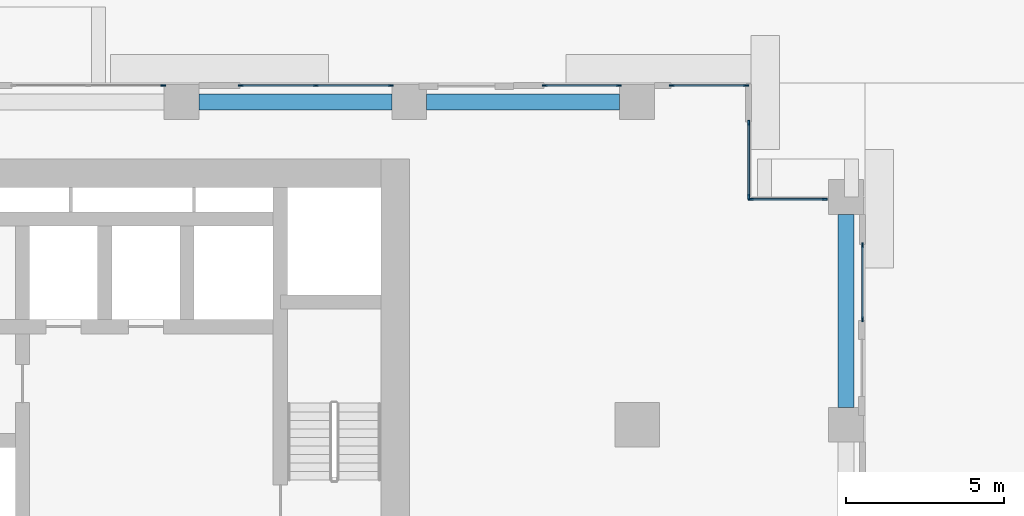
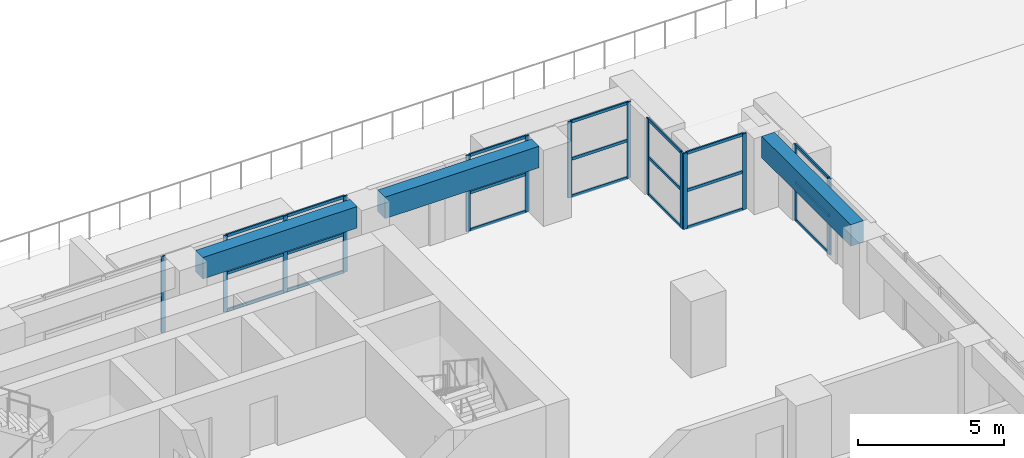
# One storey, part 9 of 24: 35 members, 3 beams, 7 elements without a shape of their own.
"""IFC4 building model written with IfcOpenShell, lengths in metres."""

from ifc_helpers import new_model, si_unit, direction, frame, origin, origin_2d, place, context, subcontext, project, spatial, rectangle, extrude, source, transform, mapped, material, layer, layer_set, material_profile, profile_set, type_object, element, aggregate, save


model = new_model("IFC4")

# Units and contexts
model_context = context("Model", 3, precision=1e-05, world=origin(), true_north=direction((0.0, 1.0)))
body_context = subcontext(model_context, "Body", "Model", "MODEL_VIEW")
ifc_project = project(units=[si_unit("LENGTHUNIT", "METRE"), si_unit("AREAUNIT", "SQUARE_METRE"), si_unit("VOLUMEUNIT", "CUBIC_METRE"), si_unit("PLANEANGLEUNIT", "RADIAN"), si_unit("MASSUNIT", "GRAM", prefix="KILO")], contexts=[model_context])

# Site, building, storey
site_placement = place(None, origin())
site = spatial("IfcSite", under=ifc_project, at=site_placement, CompositionType="ELEMENT")
building_placement = place(site_placement, origin())
building = spatial("IfcBuilding", under=site, at=building_placement, Name="Saffron Iwan Residences", CompositionType="ELEMENT")
storey_placement = place(building_placement, frame((0.0, 0.0, 27.0)))
storey = spatial("IfcBuildingStorey", under=building, at=storey_placement, Name="L05", CompositionType="ELEMENT", Elevation=27.0)

# Beams
ifc_material_1 = material(Name="Concrete C60/75", Category="concrete")
ifc_material_profile_1 = material_profile(ifc_material_1, rectangle(XDim=0.5, YDim=0.89990234375, at=origin_2d()), Name="RC 500x900")
ifc_profile_set_1 = profile_set([ifc_material_profile_1], Name="Concrete C60/75")
beam_type = type_object("IfcBeamType", Name="SPANDREL BEAM RC 500x900 C60/75 TOP 3180", PredefinedType="SPANDREL", material=ifc_profile_set_1)
shared_shape_1 = source(origin(), body_context, "Body", "SweptSolid", [
    extrude(rectangle(XDim=0.5, YDim=0.89990234375, at=origin_2d()), origin(), (0.0, 0.0, 1.0), 6.10009765625),
])
beam_placement = place(storey_placement, frame((85.800048828125, 76.25, 2.72998046875), z_axis=(0.0, -1.0, 0.0), x_axis=(1.0, 0.0, 0.0)))
element("IfcBeam", 1, at=beam_placement, inside=storey, type_object=beam_type, Name="Spandrel beam", PredefinedType="SPANDREL", context=body_context, shape_type="MappedRepresentation", body=[
    mapped(shared_shape_1, transform((0.0, 0.0, 0.0))),
])
shared_shape_2 = source(origin(), body_context, "Body", "SweptSolid", [
    extrude(rectangle(XDim=0.5, YDim=0.89990234375, at=origin_2d()), origin(), (0.0, 0.0, 1.0), 6.099853515625),
])
for number, where, z_axis, x_axis, name in (
    (2, (65.35009765625, 79.800048828125, 2.72998046875), (1.0, 0.0, 0.0), (0.0, 1.0, 0.0), "Spandrel beam"),
    (3, (72.550048828125, 79.800048828125, 2.72998046875), (1.0, 0.0, 0.0), (0.0, 1.0, 0.0), "Spandrel beam"),
):
    element("IfcBeam", number, at=place(storey_placement, frame(where, z_axis=z_axis, x_axis=x_axis)), inside=storey, type_object=beam_type, Name=name, PredefinedType="SPANDREL", context=body_context, shape_type="MappedRepresentation", body=[
        mapped(shared_shape_2, transform((0.0, 0.0, 0.0))),
    ])

# Curtain wall, members
ifc_material_2 = material(Name="Clear glass, laminated double glazed", Category="glass")
ifc_layer = layer(ifc_material_2, 0.14990234375)
ifc_layer_set = layer_set([ifc_layer], Name="Clear glass, laminated double glazed")
curtain_wall_type = type_object("IfcCurtainWallType", Name="CW-D GARDEN FLOOR GLAZING", PredefinedType="NOTDEFINED", material=ifc_layer_set)
curtain_wall_1_placement = place(storey_placement, origin())
curtain_wall_1 = element("IfcCurtainWall", 4, at=curtain_wall_1_placement, inside=storey, type_object=curtain_wall_type, Name="Glazing L05 F2.3", PredefinedType="NOTDEFINED")
ifc_material_3 = material(Name="Aluminium 6063-T6", Category="aluminium")
ifc_material_profile_2 = material_profile(ifc_material_3, rectangle(XDim=0.06005859375, YDim=0.159912109375, at=origin_2d()), Name="CW-D MULLION 60 x 160")
ifc_profile_set_2 = profile_set([ifc_material_profile_2], Name="Aluminium 6063-T6")
member_type_1 = type_object("IfcMemberType", Name="CW-D MULLION 60 x 160", PredefinedType="MULLION", material=ifc_profile_set_2)
shared_shape_3 = source(origin(), body_context, "Body", "SweptSolid", [
    extrude(rectangle(XDim=0.06005859375, YDim=0.159912109375, at=origin_2d()), origin(), (0.0, 0.0, 1.0), 3.179931640625),
])
member_1_placement = place(storey_placement, frame((86.320068359375, 72.929931640625, 0.0), z_axis=(0.0, 0.0, 1.0), x_axis=(-1.0, 0.0, 0.0)))
member_1 = element("IfcMember", 5, at=member_1_placement, type_object=member_type_1, Name="CW-D mullion 1", PredefinedType="MULLION", context=body_context, shape_type="MappedRepresentation", body=[
    mapped(shared_shape_3, transform((0.0, 0.0, 0.0))),
])
member_2_placement = place(storey_placement, frame((86.320068359375, 75.27001953125, 0.0), z_axis=(0.0, 0.0, 1.0), x_axis=(-1.0, 0.0, 0.0)))
member_2 = element("IfcMember", 6, at=member_2_placement, type_object=member_type_1, Name="CW-D mullion 2", PredefinedType="MULLION", context=body_context, shape_type="MappedRepresentation", body=[
    mapped(shared_shape_3, transform((0.0, 0.0, 0.0))),
])

curtain_wall_2_placement = place(storey_placement, origin())
curtain_wall_2 = element("IfcCurtainWall", 7, at=curtain_wall_2_placement, inside=storey, type_object=curtain_wall_type, Name="Glazing L05 F3.0", PredefinedType="NOTDEFINED")
member_3_placement = place(storey_placement, frame((85.1298828125, 76.719970703125, 0.0), z_axis=(0.0, 0.0, 1.0), x_axis=(0.0, -1.0, 0.0)))
member_3 = element("IfcMember", 8, at=member_3_placement, type_object=member_type_1, Name="CW-D mullion 1", PredefinedType="MULLION", context=body_context, shape_type="MappedRepresentation", body=[
    mapped(shared_shape_3, transform((0.0, 0.0, 0.0))),
])
member_4_placement = place(storey_placement, frame((82.7900390625, 76.719970703125, 0.0), z_axis=(0.0, 0.0, 1.0), x_axis=(0.0, -1.0, 0.0)))
member_4 = element("IfcMember", 9, at=member_4_placement, type_object=member_type_1, Name="CW-D mullion 2", PredefinedType="MULLION", context=body_context, shape_type="MappedRepresentation", body=[
    mapped(shared_shape_3, transform((0.0, 0.0, 0.0))),
])

curtain_wall_3_placement = place(storey_placement, origin())
curtain_wall_3 = element("IfcCurtainWall", 10, at=curtain_wall_3_placement, inside=storey, type_object=curtain_wall_type, Name="Glazing L05 F4.0", PredefinedType="NOTDEFINED")
member_5_placement = place(storey_placement, frame((82.719970703125, 76.800048828125, 0.0), z_axis=(0.0, 0.0, 1.0), x_axis=(-1.0, 0.0, 0.0)))
member_5 = element("IfcMember", 11, at=member_5_placement, type_object=member_type_1, Name="CW-D mullion 1", PredefinedType="MULLION", context=body_context, shape_type="MappedRepresentation", body=[
    mapped(shared_shape_3, transform((0.0, 0.0, 0.0))),
])
member_6_placement = place(storey_placement, frame((82.719970703125, 79.139892578125, 0.0), z_axis=(0.0, 0.0, 1.0), x_axis=(-1.0, 0.0, 0.0)))
member_6 = element("IfcMember", 12, at=member_6_placement, type_object=member_type_1, Name="CW-D mullion 2", PredefinedType="MULLION", context=body_context, shape_type="MappedRepresentation", body=[
    mapped(shared_shape_3, transform((0.0, 0.0, 0.0))),
])

curtain_wall_4_placement = place(storey_placement, origin())
curtain_wall_4 = element("IfcCurtainWall", 13, at=curtain_wall_4_placement, inside=storey, type_object=curtain_wall_type, Name="Glazing L05 F5.0", PredefinedType="NOTDEFINED")
member_7_placement = place(storey_placement, frame((82.639892578125, 80.320068359375, 0.0), z_axis=(0.0, 0.0, 1.0), x_axis=(0.0, -1.0, 0.0)))
member_7 = element("IfcMember", 14, at=member_7_placement, type_object=member_type_1, Name="CW-D mullion 1", PredefinedType="MULLION", context=body_context, shape_type="MappedRepresentation", body=[
    mapped(shared_shape_3, transform((0.0, 0.0, 0.0))),
])
member_8_placement = place(storey_placement, frame((80.300048828125, 80.320068359375, 0.0), z_axis=(0.0, 0.0, 1.0), x_axis=(0.0, -1.0, 0.0)))
member_8 = element("IfcMember", 15, at=member_8_placement, type_object=member_type_1, Name="CW-D mullion 2", PredefinedType="MULLION", context=body_context, shape_type="MappedRepresentation", body=[
    mapped(shared_shape_3, transform((0.0, 0.0, 0.0))),
])

curtain_wall_5_placement = place(storey_placement, origin())
curtain_wall_5 = element("IfcCurtainWall", 16, at=curtain_wall_5_placement, inside=storey, type_object=curtain_wall_type, Name="Glazing L05 F5.1", PredefinedType="NOTDEFINED")
member_9_placement = place(storey_placement, frame((78.6201171875, 80.320068359375, 0.0), z_axis=(0.0, 0.0, 1.0), x_axis=(0.0, -1.0, 0.0)))
member_9 = element("IfcMember", 17, at=member_9_placement, type_object=member_type_1, Name="CW-D mullion 1", PredefinedType="MULLION", context=body_context, shape_type="MappedRepresentation", body=[
    mapped(shared_shape_3, transform((0.0, 0.0, 0.0))),
])
member_10_placement = place(storey_placement, frame((76.280029296875, 80.320068359375, 0.0), z_axis=(0.0, 0.0, 1.0), x_axis=(0.0, -1.0, 0.0)))
member_10 = element("IfcMember", 18, at=member_10_placement, type_object=member_type_1, Name="CW-D mullion 2", PredefinedType="MULLION", context=body_context, shape_type="MappedRepresentation", body=[
    mapped(shared_shape_3, transform((0.0, 0.0, 0.0))),
])

curtain_wall_6_placement = place(storey_placement, origin())
curtain_wall_6 = element("IfcCurtainWall", 19, at=curtain_wall_6_placement, inside=storey, type_object=curtain_wall_type, Name="Glazing L05 F5.2", PredefinedType="NOTDEFINED")
member_11_placement = place(storey_placement, frame((71.419921875, 80.320068359375, 0.0), z_axis=(0.0, 0.0, 1.0), x_axis=(0.0, -1.0, 0.0)))
member_11 = element("IfcMember", 20, at=member_11_placement, type_object=member_type_1, Name="CW-D mullion 1", PredefinedType="MULLION", context=body_context, shape_type="MappedRepresentation", body=[
    mapped(shared_shape_3, transform((0.0, 0.0, 0.0))),
])
member_12_placement = place(storey_placement, frame((69.050048828125, 80.320068359375, 0.0), z_axis=(0.0, 0.0, 1.0), x_axis=(0.0, -1.0, 0.0)))
member_12 = element("IfcMember", 21, at=member_12_placement, type_object=member_type_1, Name="CW-D mullion 2", PredefinedType="MULLION", context=body_context, shape_type="MappedRepresentation", body=[
    mapped(shared_shape_3, transform((0.0, 0.0, 0.0))),
])
member_13_placement = place(storey_placement, frame((66.679931640625, 80.320068359375, 0.0), z_axis=(0.0, 0.0, 1.0), x_axis=(0.0, -1.0, 0.0)))
member_13 = element("IfcMember", 22, at=member_13_placement, type_object=member_type_1, Name="CW-D mullion 3", PredefinedType="MULLION", context=body_context, shape_type="MappedRepresentation", body=[
    mapped(shared_shape_3, transform((0.0, 0.0, 0.0))),
])

# Curtain wall, member
curtain_wall_7_placement = place(storey_placement, origin())
curtain_wall_7 = element("IfcCurtainWall", 23, at=curtain_wall_7_placement, inside=storey, type_object=curtain_wall_type, Name="Glazing L05 F5.3", PredefinedType="NOTDEFINED")
member_14_placement = place(storey_placement, frame((64.219970703125, 80.320068359375, 0.0), z_axis=(0.0, 0.0, 1.0), x_axis=(0.0, -1.0, 0.0)))
member_14 = element("IfcMember", 24, at=member_14_placement, type_object=member_type_1, Name="CW-D mullion 1", PredefinedType="MULLION", context=body_context, shape_type="MappedRepresentation", body=[
    mapped(shared_shape_3, transform((0.0, 0.0, 0.0))),
])
aggregate(curtain_wall_7, [member_14])

# Member
ifc_material_profile_3 = material_profile(ifc_material_3, rectangle(XDim=0.06005859375, YDim=0.1201171875, at=origin_2d()), Name="CW-D TRANSOM 60 x 120")
ifc_profile_set_3 = profile_set([ifc_material_profile_3], Name="Aluminium 6063-T6")
member_type_2 = type_object("IfcMemberType", Name="CW-D TRANSOM 60 x 120", PredefinedType="USERDEFINED", material=ifc_profile_set_3)
shared_shape_4 = source(origin(), body_context, "Body", "SweptSolid", [
    extrude(rectangle(XDim=0.06005859375, YDim=0.1201171875, at=origin_2d()), origin(), (0.0, 0.0, 1.0), 2.280029296875),
])
member_15_placement = place(storey_placement, frame((86.320068359375, 72.9599609375, 0.030029296875), z_axis=(0.0, 1.0, 0.0), x_axis=(-1.0, 0.0, 0.0)))
member_15 = element("IfcMember", 25, at=member_15_placement, type_object=member_type_2, Name="CW-D transom 1.1", ObjectType="TRANSOM", PredefinedType="USERDEFINED", context=body_context, shape_type="MappedRepresentation", body=[
    mapped(shared_shape_4, transform((0.0, 0.0, 0.0))),
])

member_16_placement = place(storey_placement, frame((86.320068359375, 72.9599609375, 1.590087890625), z_axis=(0.0, 1.0, 0.0), x_axis=(-1.0, 0.0, 0.0)))
member_16 = element("IfcMember", 26, at=member_16_placement, type_object=member_type_2, Name="CW-D transom 1.2", ObjectType="TRANSOM", PredefinedType="USERDEFINED", context=body_context, shape_type="MappedRepresentation", body=[
    mapped(shared_shape_4, transform((0.0, 0.0, 0.0))),
])

member_17_placement = place(storey_placement, frame((86.320068359375, 72.9599609375, 3.14990234375), z_axis=(0.0, 1.0, 0.0), x_axis=(-1.0, 0.0, 0.0)))
member_17 = element("IfcMember", 27, at=member_17_placement, type_object=member_type_2, Name="CW-D transom 1.3", ObjectType="TRANSOM", PredefinedType="USERDEFINED", context=body_context, shape_type="MappedRepresentation", body=[
    mapped(shared_shape_4, transform((0.0, 0.0, 0.0))),
])

aggregate(curtain_wall_1, [member_1, member_2, member_15, member_16, member_17])

member_18_placement = place(storey_placement, frame((85.10009765625, 76.719970703125, 0.030029296875), z_axis=(-1.0, 0.0, 0.0), x_axis=(0.0, -1.0, 0.0)))
member_18 = element("IfcMember", 28, at=member_18_placement, type_object=member_type_2, Name="CW-D transom 1.1", ObjectType="TRANSOM", PredefinedType="USERDEFINED", context=body_context, shape_type="MappedRepresentation", body=[
    mapped(shared_shape_4, transform((0.0, 0.0, 0.0))),
])

member_19_placement = place(storey_placement, frame((85.10009765625, 76.719970703125, 1.590087890625), z_axis=(-1.0, 0.0, 0.0), x_axis=(0.0, -1.0, 0.0)))
member_19 = element("IfcMember", 29, at=member_19_placement, type_object=member_type_2, Name="CW-D transom 1.2", ObjectType="TRANSOM", PredefinedType="USERDEFINED", context=body_context, shape_type="MappedRepresentation", body=[
    mapped(shared_shape_4, transform((0.0, 0.0, 0.0))),
])

member_20_placement = place(storey_placement, frame((85.10009765625, 76.719970703125, 3.14990234375), z_axis=(-1.0, 0.0, 0.0), x_axis=(0.0, -1.0, 0.0)))
member_20 = element("IfcMember", 30, at=member_20_placement, type_object=member_type_2, Name="CW-D transom 1.3", ObjectType="TRANSOM", PredefinedType="USERDEFINED", context=body_context, shape_type="MappedRepresentation", body=[
    mapped(shared_shape_4, transform((0.0, 0.0, 0.0))),
])

aggregate(curtain_wall_2, [member_3, member_4, member_18, member_19, member_20])

member_21_placement = place(storey_placement, frame((82.719970703125, 76.830078125, 0.030029296875), z_axis=(0.0, 1.0, 0.0), x_axis=(-1.0, 0.0, 0.0)))
member_21 = element("IfcMember", 31, at=member_21_placement, type_object=member_type_2, Name="CW-D transom 1.1", ObjectType="TRANSOM", PredefinedType="USERDEFINED", context=body_context, shape_type="MappedRepresentation", body=[
    mapped(shared_shape_4, transform((0.0, 0.0, 0.0))),
])

member_22_placement = place(storey_placement, frame((82.719970703125, 76.830078125, 1.590087890625), z_axis=(0.0, 1.0, 0.0), x_axis=(-1.0, 0.0, 0.0)))
member_22 = element("IfcMember", 32, at=member_22_placement, type_object=member_type_2, Name="CW-D transom 1.2", ObjectType="TRANSOM", PredefinedType="USERDEFINED", context=body_context, shape_type="MappedRepresentation", body=[
    mapped(shared_shape_4, transform((0.0, 0.0, 0.0))),
])

member_23_placement = place(storey_placement, frame((82.719970703125, 76.830078125, 3.14990234375), z_axis=(0.0, 1.0, 0.0), x_axis=(-1.0, 0.0, 0.0)))
member_23 = element("IfcMember", 33, at=member_23_placement, type_object=member_type_2, Name="CW-D transom 1.3", ObjectType="TRANSOM", PredefinedType="USERDEFINED", context=body_context, shape_type="MappedRepresentation", body=[
    mapped(shared_shape_4, transform((0.0, 0.0, 0.0))),
])

aggregate(curtain_wall_3, [member_5, member_6, member_21, member_22, member_23])

member_24_placement = place(storey_placement, frame((82.610107421875, 80.320068359375, 0.030029296875), z_axis=(-1.0, 0.0, 0.0), x_axis=(0.0, -1.0, 0.0)))
member_24 = element("IfcMember", 34, at=member_24_placement, type_object=member_type_2, Name="CW-D transom 1.1", ObjectType="TRANSOM", PredefinedType="USERDEFINED", context=body_context, shape_type="MappedRepresentation", body=[
    mapped(shared_shape_4, transform((0.0, 0.0, 0.0))),
])

member_25_placement = place(storey_placement, frame((82.610107421875, 80.320068359375, 1.590087890625), z_axis=(-1.0, 0.0, 0.0), x_axis=(0.0, -1.0, 0.0)))
member_25 = element("IfcMember", 35, at=member_25_placement, type_object=member_type_2, Name="CW-D transom 1.2", ObjectType="TRANSOM", PredefinedType="USERDEFINED", context=body_context, shape_type="MappedRepresentation", body=[
    mapped(shared_shape_4, transform((0.0, 0.0, 0.0))),
])

member_26_placement = place(storey_placement, frame((82.610107421875, 80.320068359375, 3.14990234375), z_axis=(-1.0, 0.0, 0.0), x_axis=(0.0, -1.0, 0.0)))
member_26 = element("IfcMember", 36, at=member_26_placement, type_object=member_type_2, Name="CW-D transom 1.3", ObjectType="TRANSOM", PredefinedType="USERDEFINED", context=body_context, shape_type="MappedRepresentation", body=[
    mapped(shared_shape_4, transform((0.0, 0.0, 0.0))),
])

aggregate(curtain_wall_4, [member_7, member_8, member_24, member_25, member_26])

member_27_placement = place(storey_placement, frame((78.590087890625, 80.320068359375, 0.030029296875), z_axis=(-1.0, 0.0, 0.0), x_axis=(0.0, -1.0, 0.0)))
member_27 = element("IfcMember", 37, at=member_27_placement, type_object=member_type_2, Name="CW-D transom 1.1", ObjectType="TRANSOM", PredefinedType="USERDEFINED", context=body_context, shape_type="MappedRepresentation", body=[
    mapped(shared_shape_4, transform((0.0, 0.0, 0.0))),
])

member_28_placement = place(storey_placement, frame((78.590087890625, 80.320068359375, 1.590087890625), z_axis=(-1.0, 0.0, 0.0), x_axis=(0.0, -1.0, 0.0)))
member_28 = element("IfcMember", 38, at=member_28_placement, type_object=member_type_2, Name="CW-D transom 1.2", ObjectType="TRANSOM", PredefinedType="USERDEFINED", context=body_context, shape_type="MappedRepresentation", body=[
    mapped(shared_shape_4, transform((0.0, 0.0, 0.0))),
])

member_29_placement = place(storey_placement, frame((78.590087890625, 80.320068359375, 3.14990234375), z_axis=(-1.0, 0.0, 0.0), x_axis=(0.0, -1.0, 0.0)))
member_29 = element("IfcMember", 39, at=member_29_placement, type_object=member_type_2, Name="CW-D transom 1.3", ObjectType="TRANSOM", PredefinedType="USERDEFINED", context=body_context, shape_type="MappedRepresentation", body=[
    mapped(shared_shape_4, transform((0.0, 0.0, 0.0))),
])

aggregate(curtain_wall_5, [member_9, member_10, member_27, member_28, member_29])

shared_shape_5 = source(origin(), body_context, "Body", "SweptSolid", [
    extrude(rectangle(XDim=0.06005859375, YDim=0.1201171875, at=origin_2d()), origin(), (0.0, 0.0, 1.0), 2.31005859375),
])
member_30_placement = place(storey_placement, frame((69.02001953125, 80.320068359375, 0.030029296875), z_axis=(-1.0, 0.0, 0.0), x_axis=(0.0, -1.0, 0.0)))
member_30 = element("IfcMember", 40, at=member_30_placement, type_object=member_type_2, Name="CW-D transom 2.1", ObjectType="TRANSOM", PredefinedType="USERDEFINED", context=body_context, shape_type="MappedRepresentation", body=[
    mapped(shared_shape_5, transform((0.0, 0.0, 0.0))),
])

member_31_placement = place(storey_placement, frame((69.02001953125, 80.320068359375, 1.590087890625), z_axis=(-1.0, 0.0, 0.0), x_axis=(0.0, -1.0, 0.0)))
member_31 = element("IfcMember", 41, at=member_31_placement, type_object=member_type_2, Name="CW-D transom 2.2", ObjectType="TRANSOM", PredefinedType="USERDEFINED", context=body_context, shape_type="MappedRepresentation", body=[
    mapped(shared_shape_5, transform((0.0, 0.0, 0.0))),
])

member_32_placement = place(storey_placement, frame((69.02001953125, 80.320068359375, 3.14990234375), z_axis=(-1.0, 0.0, 0.0), x_axis=(0.0, -1.0, 0.0)))
member_32 = element("IfcMember", 42, at=member_32_placement, type_object=member_type_2, Name="CW-D transom 2.3", ObjectType="TRANSOM", PredefinedType="USERDEFINED", context=body_context, shape_type="MappedRepresentation", body=[
    mapped(shared_shape_5, transform((0.0, 0.0, 0.0))),
])

shared_shape_6 = source(origin(), body_context, "Body", "SweptSolid", [
    extrude(rectangle(XDim=0.06005859375, YDim=0.1201171875, at=origin_2d()), origin(), (0.0, 0.0, 1.0), 2.309814453125),
])
member_33_placement = place(storey_placement, frame((71.389892578125, 80.320068359375, 0.030029296875), z_axis=(-1.0, 0.0, 0.0), x_axis=(0.0, -1.0, 0.0)))
member_33 = element("IfcMember", 43, at=member_33_placement, type_object=member_type_2, Name="CW-D transom 1.1", ObjectType="TRANSOM", PredefinedType="USERDEFINED", context=body_context, shape_type="MappedRepresentation", body=[
    mapped(shared_shape_6, transform((0.0, 0.0, 0.0))),
])

member_34_placement = place(storey_placement, frame((71.389892578125, 80.320068359375, 1.590087890625), z_axis=(-1.0, 0.0, 0.0), x_axis=(0.0, -1.0, 0.0)))
member_34 = element("IfcMember", 44, at=member_34_placement, type_object=member_type_2, Name="CW-D transom 1.2", ObjectType="TRANSOM", PredefinedType="USERDEFINED", context=body_context, shape_type="MappedRepresentation", body=[
    mapped(shared_shape_6, transform((0.0, 0.0, 0.0))),
])

member_35_placement = place(storey_placement, frame((71.389892578125, 80.320068359375, 3.14990234375), z_axis=(-1.0, 0.0, 0.0), x_axis=(0.0, -1.0, 0.0)))
member_35 = element("IfcMember", 45, at=member_35_placement, type_object=member_type_2, Name="CW-D transom 1.3", ObjectType="TRANSOM", PredefinedType="USERDEFINED", context=body_context, shape_type="MappedRepresentation", body=[
    mapped(shared_shape_6, transform((0.0, 0.0, 0.0))),
])

aggregate(curtain_wall_6, [member_11, member_12, member_13, member_33, member_34, member_35, member_30, member_31, member_32])

save(model, "model.ifc")
